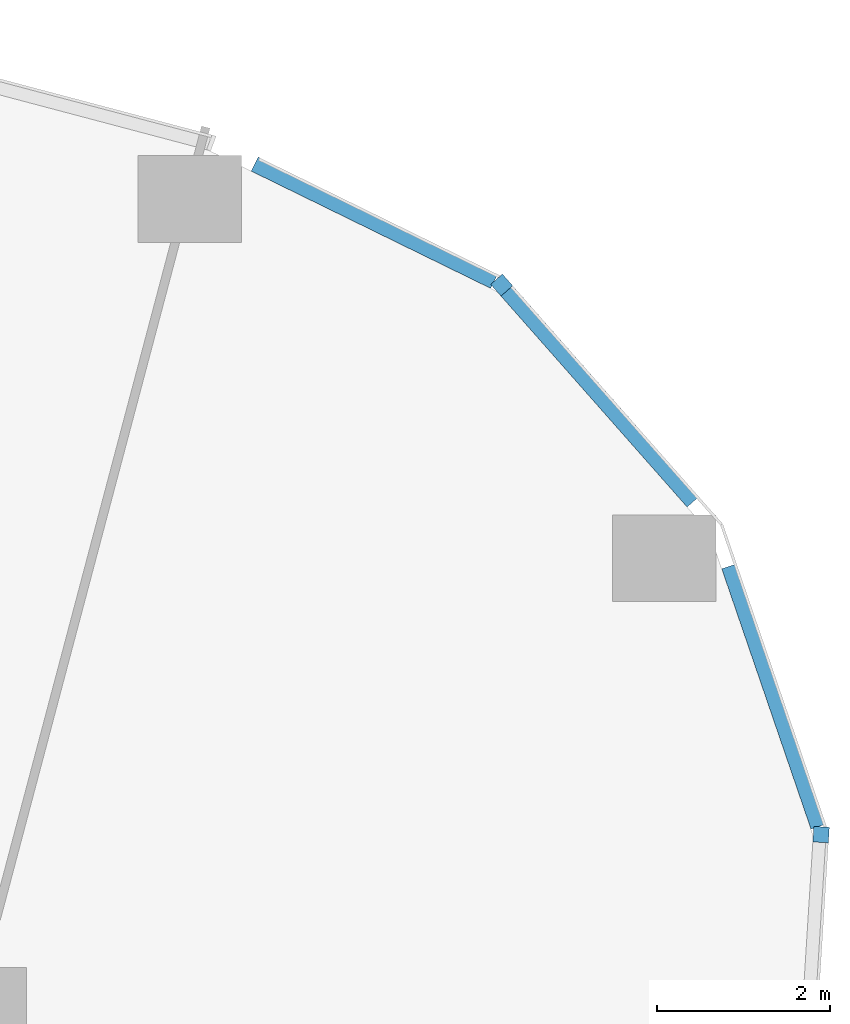
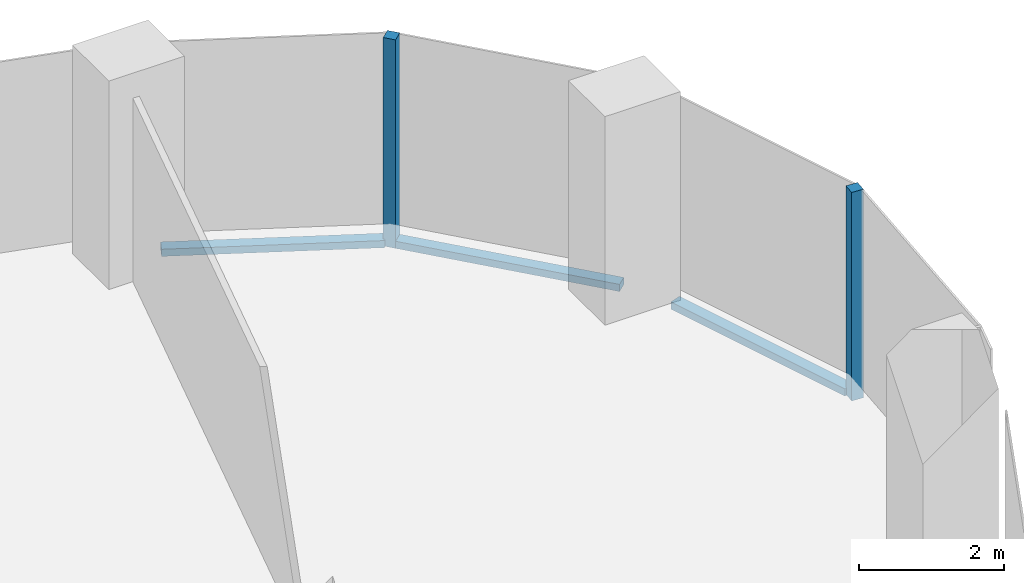
# One storey, part 11 of 34: 5 members, 4 elements without a shape of their own.
"""IFC4 building model written with IfcOpenShell, lengths in metres."""

from ifc_helpers import new_model, si_unit, direction, frame, origin, origin_2d, place, context, subcontext, project, spatial, rectangle, extrude, material, material_profile, profile_set, type_object, element, aggregate, save


model = new_model("IFC4")

# Units and contexts
model_context = context("Model", 3, precision=1e-05, world=origin(), true_north=direction((0.0, 1.0)))
body_context = subcontext(model_context, "Body", "Model", "MODEL_VIEW")
ifc_project = project(units=[si_unit("LENGTHUNIT", "METRE"), si_unit("AREAUNIT", "SQUARE_METRE"), si_unit("VOLUMEUNIT", "CUBIC_METRE"), si_unit("PLANEANGLEUNIT", "RADIAN"), si_unit("MASSUNIT", "GRAM", prefix="KILO")], contexts=[model_context])

# Site, building, storey
site_placement = place(None, origin())
site = spatial("IfcSite", under=ifc_project, at=site_placement, CompositionType="ELEMENT")
building_placement = place(site_placement, origin())
building = spatial("IfcBuilding", under=site, at=building_placement, Name="Orlundy Tower", CompositionType="ELEMENT")
storey_placement = place(building_placement, frame((0.0, 0.0, 112.699951171875)))
storey = spatial("IfcBuildingStorey", under=building, at=storey_placement, Name="L28", CompositionType="ELEMENT", Elevation=112.699951171875)

# Curtain wall, member
ifc_material_1 = material(Name="Aluminium bronze anodised", Category="aluminium")
curtain_wall_type = type_object("IfcCurtainWallType", Name="CW1 wall", PredefinedType="NOTDEFINED", material=ifc_material_1)
curtain_wall_1_placement = place(storey_placement, origin())
curtain_wall_1 = element("IfcCurtainWall", 1, at=curtain_wall_1_placement, inside=storey, type_object=curtain_wall_type, Name="CW1 run 020", PredefinedType="NOTDEFINED")
ifc_material_2 = material(Name="Aluminium bronze anodised", Category="aluminium")
ifc_material_profile_1 = material_profile(ifc_material_2, rectangle(XDim=0.179931640625, YDim=0.179931640625, at=origin_2d()), Name="CW1 corner post 180x180")
ifc_profile_set_1 = profile_set([ifc_material_profile_1], Name="Aluminium bronze anodised")
member_type_1 = type_object("IfcMemberType", Name="CW1 corner post 180x180", PredefinedType="MULLION", material=ifc_profile_set_1)
member_1_placement = place(storey_placement, frame((57.8056640625, 4.719970703125, -0.39990234375), z_axis=(0.0, 0.0, 1.0), x_axis=(0.749845729605, 0.661612712841, 0.0)))
member_1 = element("IfcMember", 2, at=member_1_placement, type_object=member_type_1, Name="CW1 mullion 58", PredefinedType="MULLION", context=body_context, shape_type="SweptSolid", body=[
    extrude(rectangle(XDim=0.179931640625, YDim=0.179931640625, at=origin_2d()), origin(), (0.0, 0.0, 1.0), 3.5),
])

curtain_wall_2_placement = place(storey_placement, origin())
curtain_wall_2 = element("IfcCurtainWall", 3, at=curtain_wall_2_placement, inside=storey, type_object=curtain_wall_type, Name="CW1 run 022", PredefinedType="NOTDEFINED")
member_2_placement = place(storey_placement, frame((61.494873046875, -1.626708984375, -0.39990234375), z_axis=(0.0, 0.0, 1.0), x_axis=(0.998038906457, -0.062596654845, 0.0)))
member_2 = element("IfcMember", 4, at=member_2_placement, type_object=member_type_1, Name="CW1 mullion 60", PredefinedType="MULLION", context=body_context, shape_type="SweptSolid", body=[
    extrude(rectangle(XDim=0.179931640625, YDim=0.179931640625, at=origin_2d()), origin(), (0.0, 0.0, 1.0), 3.5),
])
aggregate(curtain_wall_2, [member_2])

curtain_wall_3_placement = place(storey_placement, origin())
curtain_wall_3 = element("IfcCurtainWall", 5, at=curtain_wall_3_placement, inside=storey, type_object=curtain_wall_type, Name="CW1 run 019", PredefinedType="NOTDEFINED")
ifc_material_3 = material(Name="Aluminium bronze anodised", Category="aluminium")
ifc_material_profile_2 = material_profile(ifc_material_3, rectangle(XDim=0.179931640625, YDim=0.1201171875, at=origin_2d()), Name="CW1 transom 180x120")
ifc_profile_set_2 = profile_set([ifc_material_profile_2], Name="Aluminium bronze anodised")
member_type_2 = type_object("IfcMemberType", Name="CW1 transom 180x120", PredefinedType="USERDEFINED", material=ifc_profile_set_2)
member_3_placement = place(storey_placement, frame((54.952880859375, 6.11669921875, -0.33984375), z_axis=(0.898122786685, -0.439744766925, 0.0), x_axis=(0.439744766925, 0.898122786685, 0.0)))
member_3 = element("IfcMember", 6, at=member_3_placement, type_object=member_type_2, Name="CW1 transom", ObjectType="TRANSOM", PredefinedType="USERDEFINED", context=body_context, shape_type="SweptSolid", body=[
    extrude(rectangle(XDim=0.179931640625, YDim=0.1201171875, at=origin_2d()), origin(), (0.0, 0.0, 1.0), 3.0791015625),
])
aggregate(curtain_wall_3, [member_3])

# Member
member_4_placement = place(storey_placement, frame((57.865234375, 4.652587890625, -0.33984375), z_axis=(0.661584359958, -0.749870745302, 0.0), x_axis=(0.749870745302, 0.661584359958, 0.0)))
member_4 = element("IfcMember", 7, at=member_4_placement, type_object=member_type_2, Name="CW1 transom", ObjectType="TRANSOM", PredefinedType="USERDEFINED", context=body_context, shape_type="SweptSolid", body=[
    extrude(rectangle(XDim=0.179931640625, YDim=0.1201171875, at=origin_2d()), origin(), (0.0, 0.0, 1.0), 3.249267578125),
])

aggregate(curtain_wall_1, [member_1, member_4])

# Curtain wall, member
curtain_wall_4_placement = place(storey_placement, origin())
curtain_wall_4 = element("IfcCurtainWall", 8, at=curtain_wall_4_placement, inside=storey, type_object=curtain_wall_type, Name="CW1 run 021", PredefinedType="NOTDEFINED")
member_5_placement = place(storey_placement, frame((60.43310546875, 1.4716796875, -0.33984375), z_axis=(0.324190765616, -0.945991726967, 0.0), x_axis=(0.945991726967, 0.324190765616, 0.0)))
member_5 = element("IfcMember", 9, at=member_5_placement, type_object=member_type_2, Name="CW1 transom", ObjectType="TRANSOM", PredefinedType="USERDEFINED", context=body_context, shape_type="SweptSolid", body=[
    extrude(rectangle(XDim=0.179931640625, YDim=0.1201171875, at=origin_2d()), origin(), (0.0, 0.0, 1.0), 3.177978515625),
])
aggregate(curtain_wall_4, [member_5])

save(model, "model.ifc")
